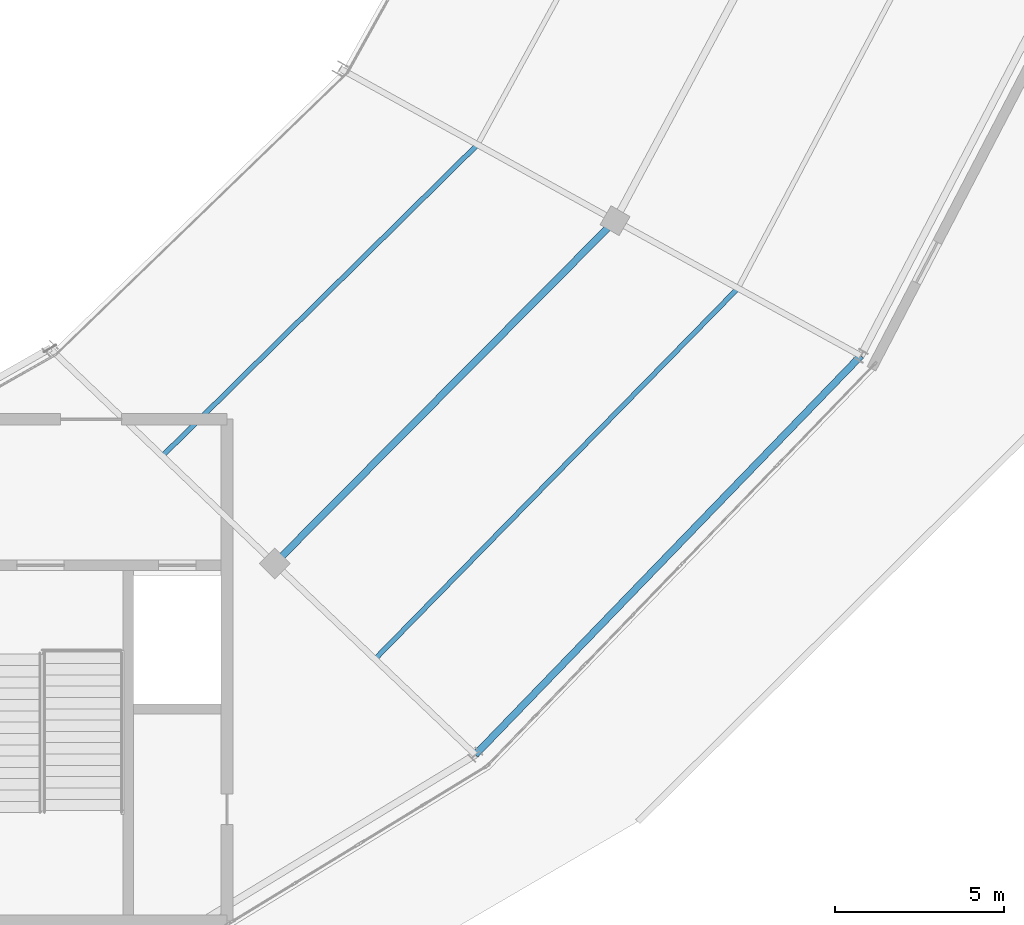
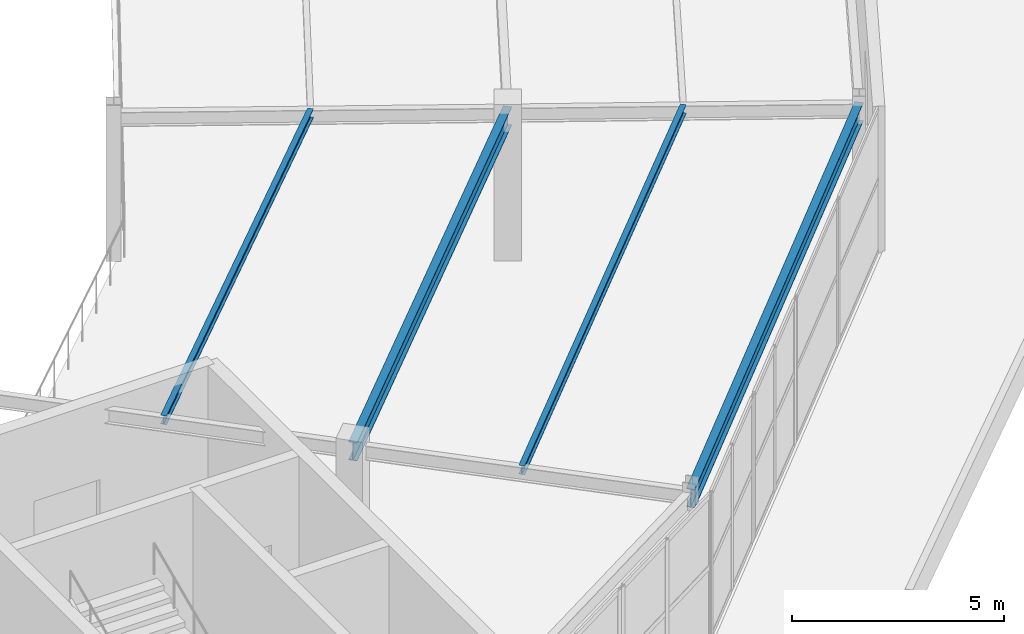
# One storey, part 83 of 126: 4 beams.
"""IFC4 building model written with IfcOpenShell, lengths in metres."""

from ifc_helpers import new_model, si_unit, direction, frame, origin, origin_2d, place, context, subcontext, project, spatial, i_section, extrude, material, material_profile, profile_set, type_object, element, save


model = new_model("IFC4")

# Units and contexts
model_context = context("Model", 3, precision=1e-05, world=origin(), true_north=direction((0.0, 1.0)))
body_context = subcontext(model_context, "Body", "Model", "MODEL_VIEW")
ifc_project = project(units=[si_unit("LENGTHUNIT", "METRE"), si_unit("AREAUNIT", "SQUARE_METRE"), si_unit("VOLUMEUNIT", "CUBIC_METRE"), si_unit("PLANEANGLEUNIT", "RADIAN"), si_unit("MASSUNIT", "GRAM", prefix="KILO")], contexts=[model_context])

# Site, building, storey
site_placement = place(None, origin())
site = spatial("IfcSite", under=ifc_project, at=site_placement, CompositionType="ELEMENT")
building_placement = place(site_placement, origin())
building = spatial("IfcBuilding", under=site, at=building_placement, Name="Kalgoora Escarpment Arena", CompositionType="ELEMENT")
storey_placement = place(building_placement, frame((0.0, 0.0, 18.89990234375)))
storey = spatial("IfcBuildingStorey", under=building, at=storey_placement, Name="L04", CompositionType="ELEMENT", Elevation=18.89990234375)

# Beams
ifc_material_1 = material(Name="Structural steel AS/NZS 3679 (300 MPa)", Category="steel")
ifc_material_profile_1 = material_profile(ifc_material_1, i_section(OverallWidth=0.14599609375, OverallDepth=0.256103515625, WebThickness=0.00634765625, FlangeThickness=0.010986328125, at=origin_2d()))
ifc_profile_set_1 = profile_set([ifc_material_profile_1], Name="Structural steel AS/NZS 3679 (300 MPa)")
beam_type_1 = type_object("IfcBeamType", Name="BM-BEAM-250UB37.3", PredefinedType="BEAM", material=ifc_profile_set_1)
beam_1_placement = place(storey_placement, frame((133.9072265625, 32.53369140625, 4.10205078125), z_axis=(0.711366651552, 0.702821091787, 0.0), x_axis=(-0.702821091787, 0.711366651552, 0.0)))
element("IfcBeam", 1, at=beam_1_placement, inside=storey, type_object=beam_type_1, Name="L04 Concourse secondary ring beam 250UB37.3", PredefinedType="BEAM", context=body_context, shape_type="SweptSolid", body=[
    extrude(i_section(OverallWidth=0.14599609375, OverallDepth=0.256103515625, WebThickness=0.00634765625, FlangeThickness=0.010986328125, at=origin_2d()), origin(), (0.0, 0.0, 1.0), 13.11328125),
])
beam_2_placement = place(storey_placement, frame((140.200439453125, 26.5234375, 4.10205078125), z_axis=(0.699459765506, 0.71467197821, 0.0), x_axis=(-0.71467197821, 0.699459765506, 0.0)))
element("IfcBeam", 2, at=beam_2_placement, inside=storey, type_object=beam_type_1, Name="L04 Concourse secondary ring beam 250UB37.3", PredefinedType="BEAM", context=body_context, shape_type="SweptSolid", body=[
    extrude(i_section(OverallWidth=0.14599609375, OverallDepth=0.256103515625, WebThickness=0.00634765625, FlangeThickness=0.010986328125, at=origin_2d()), origin(), (0.0, 0.0, 1.0), 15.35888671875),
])
ifc_material_2 = material(Name="Structural steel AS/NZS 3679 (300 MPa)", Category="steel")
ifc_material_profile_2 = material_profile(ifc_material_2, i_section(OverallWidth=0.208984375, OverallDepth=0.532958984375, WebThickness=0.01025390625, FlangeThickness=0.015625, at=origin_2d()))
ifc_profile_set_2 = profile_set([ifc_material_profile_2], Name="Structural steel AS/NZS 3679 (300 MPa)")
beam_type_2 = type_object("IfcBeamType", Name="BM-GIRDER-530UB92.4", PredefinedType="USERDEFINED", material=ifc_profile_set_2)
beam_3_placement = place(storey_placement, frame((137.230712890625, 29.351806640625, 3.963623046875), z_axis=(0.704549829117, 0.709654520377, 0.0), x_axis=(-0.709654520377, 0.704549829117, 0.0)))
element("IfcBeam", 3, at=beam_3_placement, inside=storey, type_object=beam_type_2, Name="L04 Circumferential concourse girder RCONC1 530UB92.4", ObjectType="GIRDER", PredefinedType="USERDEFINED", context=body_context, shape_type="SweptSolid", body=[
    extrude(i_section(OverallWidth=0.208984375, OverallDepth=0.532958984375, WebThickness=0.01025390625, FlangeThickness=0.015625, at=origin_2d()), origin(), (0.0, 0.0, 1.0), 14.30029296875),
])
ifc_material_3 = material(Name="Structural steel AS/NZS 3679 (300 MPa)", Category="steel")
ifc_material_profile_3 = material_profile(ifc_material_3, i_section(OverallWidth=0.208984375, OverallDepth=0.532958984375, WebThickness=0.01025390625, FlangeThickness=0.015625, at=origin_2d()))
ifc_profile_set_3 = profile_set([ifc_material_profile_3], Name="Structural steel AS/NZS 3679 (300 MPa)")
beam_type_3 = type_object("IfcBeamType", Name="BM-SPANDREL-530UB92.4", PredefinedType="SPANDREL", material=ifc_profile_set_3)
beam_4_placement = place(storey_placement, frame((143.17041015625, 23.69482421875, 3.963623046875), z_axis=(0.694974435465, 0.719034445663, 0.0), x_axis=(-0.719034445663, 0.694974435465, 0.0)))
element("IfcBeam", 4, at=beam_4_placement, inside=storey, type_object=beam_type_3, Name="L04 Circumferential concourse girder RCONC2 530UB92.4", PredefinedType="SPANDREL", context=body_context, shape_type="SweptSolid", body=[
    extrude(i_section(OverallWidth=0.208984375, OverallDepth=0.532958984375, WebThickness=0.01025390625, FlangeThickness=0.015625, at=origin_2d()), origin(), (0.0, 0.0, 1.0), 16.418212890625),
])

save(model, "model.ifc")
